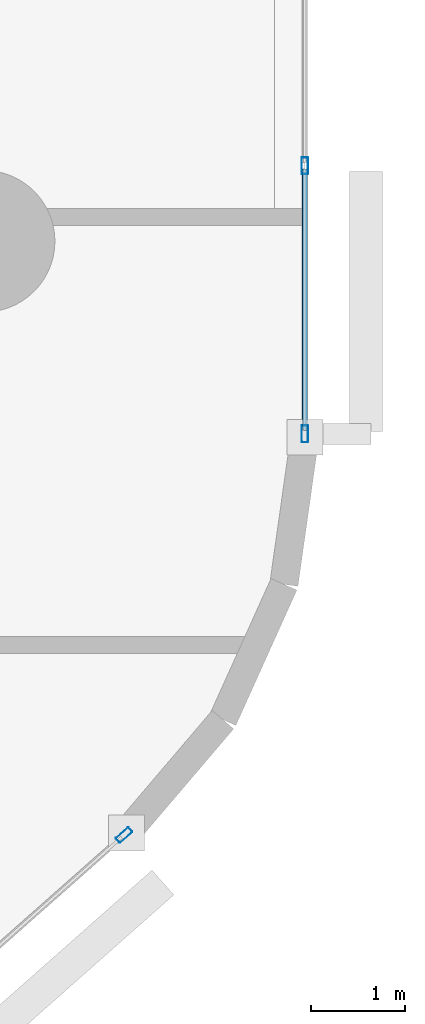
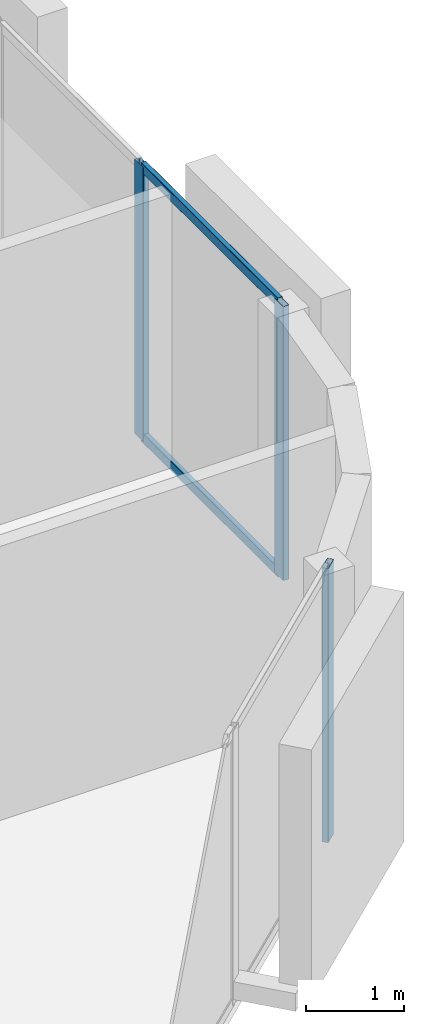
# One storey, part 4 of 16: 5 members, 2 elements without a shape of their own.
"""IFC4 building model written with IfcOpenShell, lengths in metres."""

from ifc_helpers import new_model, si_unit, direction, frame, origin, origin_2d, place, context, subcontext, project, spatial, hollow_rectangle, extrude, material, layer, layer_set, material_profile, profile_set, type_object, element, aggregate, save


model = new_model("IFC4")

# Units and contexts
model_context = context("Model", 3, precision=1e-05, world=origin(), true_north=direction((0.0, 1.0)))
body_context = subcontext(model_context, "Body", "Model", "MODEL_VIEW")
ifc_project = project(units=[si_unit("LENGTHUNIT", "METRE"), si_unit("AREAUNIT", "SQUARE_METRE"), si_unit("VOLUMEUNIT", "CUBIC_METRE"), si_unit("PLANEANGLEUNIT", "RADIAN"), si_unit("MASSUNIT", "GRAM", prefix="KILO")], contexts=[model_context])

# Site, building, storey
site_placement = place(None, origin())
site = spatial("IfcSite", under=ifc_project, at=site_placement, CompositionType="ELEMENT")
building_placement = place(site_placement, origin())
building = spatial("IfcBuilding", under=site, at=building_placement, Name="An Khanh Terracotta Commons", CompositionType="ELEMENT")
storey_placement = place(building_placement, frame((0.0, 0.0, 39.60009765625)))
storey = spatial("IfcBuildingStorey", under=building, at=storey_placement, Name="L10", CompositionType="ELEMENT", Elevation=39.60009765625)

# Curtain wall, member
ifc_material = material(Name="Anodised Aluminium 6063-T6", Category="aluminium")
ifc_layer = layer(ifc_material, 0.199951171875, Name="Anodised Aluminium 6063-T6")
ifc_layer_set = layer_set([ifc_layer], Name="Anodised Aluminium 6063-T6")
curtain_wall_type = type_object("IfcCurtainWallType", Name="CW-SYS-02", PredefinedType="USERDEFINED", material=ifc_layer_set)
curtain_wall_1_placement = place(storey_placement, origin())
curtain_wall_1 = element("IfcCurtainWall", 1, at=curtain_wall_1_placement, inside=storey, type_object=curtain_wall_type, Name="L10 CW-02 Unitised Curtain Wall CW-L10-08", ObjectType="UNITISED CURTAIN WALL", PredefinedType="USERDEFINED")
ifc_material_profile_1 = material_profile(ifc_material, hollow_rectangle(XDim=0.070068359375, YDim=0.179931640625, WallThickness=0.00390625, InnerFilletRadius=0.00390625, OuterFilletRadius=0.008056640625, at=origin_2d()), Name="RHS180x70x4")
ifc_profile_set_1 = profile_set([ifc_material_profile_1], Name="Anodised Aluminium 6063-T6")
member_type_1 = type_object("IfcMemberType", Name="CWM-RHS180x70x4", PredefinedType="MULLION", material=ifc_profile_set_1)
member_1_placement = place(storey_placement, frame((49.683837890625, 9.704833984375, 0.0), z_axis=(0.0, 0.0, 1.0), x_axis=(-0.662548195415, 0.749019284633, 0.0)))
member_1 = element("IfcMember", 2, at=member_1_placement, type_object=member_type_1, Name="CW-02 mullion 4", PredefinedType="MULLION", context=body_context, shape_type="SweptSolid", body=[
    extrude(hollow_rectangle(XDim=0.070068359375, YDim=0.179931640625, WallThickness=0.00390625, InnerFilletRadius=0.00390625, OuterFilletRadius=0.008056640625, at=origin_2d()), origin(), (0.0, 0.0, 1.0), 3.39990234375),
])
aggregate(curtain_wall_1, [member_1])

# Curtain wall, members
curtain_wall_2_placement = place(storey_placement, origin())
curtain_wall_2 = element("IfcCurtainWall", 3, at=curtain_wall_2_placement, inside=storey, type_object=curtain_wall_type, Name="L10 CW-02 Unitised Curtain Wall CW-L10-12", ObjectType="UNITISED CURTAIN WALL", PredefinedType="USERDEFINED")
member_2_placement = place(storey_placement, frame((51.60009765625, 13.9580078125, 0.0), z_axis=(0.0, 0.0, 1.0), x_axis=(-1.0, 0.0, 0.0)))
member_2 = element("IfcMember", 4, at=member_2_placement, type_object=member_type_1, Name="CW-02 mullion 1", PredefinedType="MULLION", context=body_context, shape_type="SweptSolid", body=[
    extrude(hollow_rectangle(XDim=0.070068359375, YDim=0.179931640625, WallThickness=0.00390625, InnerFilletRadius=0.00390625, OuterFilletRadius=0.008056640625, at=origin_2d()), origin(), (0.0, 0.0, 1.0), 3.39990234375),
])
member_3_placement = place(storey_placement, frame((51.60009765625, 16.80224609375, 0.0), z_axis=(0.0, 0.0, 1.0), x_axis=(-1.0, 0.0, 0.0)))
member_3 = element("IfcMember", 5, at=member_3_placement, type_object=member_type_1, Name="CW-02 mullion 2", PredefinedType="MULLION", context=body_context, shape_type="SweptSolid", body=[
    extrude(hollow_rectangle(XDim=0.070068359375, YDim=0.179931640625, WallThickness=0.00390625, InnerFilletRadius=0.00390625, OuterFilletRadius=0.008056640625, at=origin_2d()), origin(), (0.0, 0.0, 1.0), 3.39990234375),
])
ifc_material_profile_2 = material_profile(ifc_material, hollow_rectangle(XDim=0.06005859375, YDim=0.1201171875, WallThickness=0.003662109375, InnerFilletRadius=0.003662109375, OuterFilletRadius=0.007080078125, at=origin_2d()), Name="RHS120x60x3.6")
ifc_profile_set_2 = profile_set([ifc_material_profile_2], Name="Anodised Aluminium 6063-T6")
member_type_2 = type_object("IfcMemberType", Name="CWT-RHS120x60x3.6", PredefinedType="USERDEFINED", material=ifc_profile_set_2)
member_4_placement = place(storey_placement, frame((51.60009765625, 13.992919921875, 0.02978515625), z_axis=(0.0, 1.0, 0.0), x_axis=(-1.0, 0.0, 0.0)))
member_4 = element("IfcMember", 6, at=member_4_placement, type_object=member_type_2, Name="CW-02 transom 1.1", ObjectType="TRANSOM", PredefinedType="USERDEFINED", context=body_context, shape_type="SweptSolid", body=[
    extrude(hollow_rectangle(XDim=0.06005859375, YDim=0.1201171875, WallThickness=0.003662109375, InnerFilletRadius=0.003662109375, OuterFilletRadius=0.007080078125, at=origin_2d()), origin(), (0.0, 0.0, 1.0), 2.774169921875),
])
member_5_placement = place(storey_placement, frame((51.60009765625, 13.992919921875, 3.369873046875), z_axis=(0.0, 1.0, 0.0), x_axis=(-1.0, 0.0, 0.0)))
member_5 = element("IfcMember", 7, at=member_5_placement, type_object=member_type_2, Name="CW-02 transom 1.2", ObjectType="TRANSOM", PredefinedType="USERDEFINED", context=body_context, shape_type="SweptSolid", body=[
    extrude(hollow_rectangle(XDim=0.06005859375, YDim=0.1201171875, WallThickness=0.003662109375, InnerFilletRadius=0.003662109375, OuterFilletRadius=0.007080078125, at=origin_2d()), origin(), (0.0, 0.0, 1.0), 2.774169921875),
])
aggregate(curtain_wall_2, [member_2, member_3, member_4, member_5])

save(model, "model.ifc")
